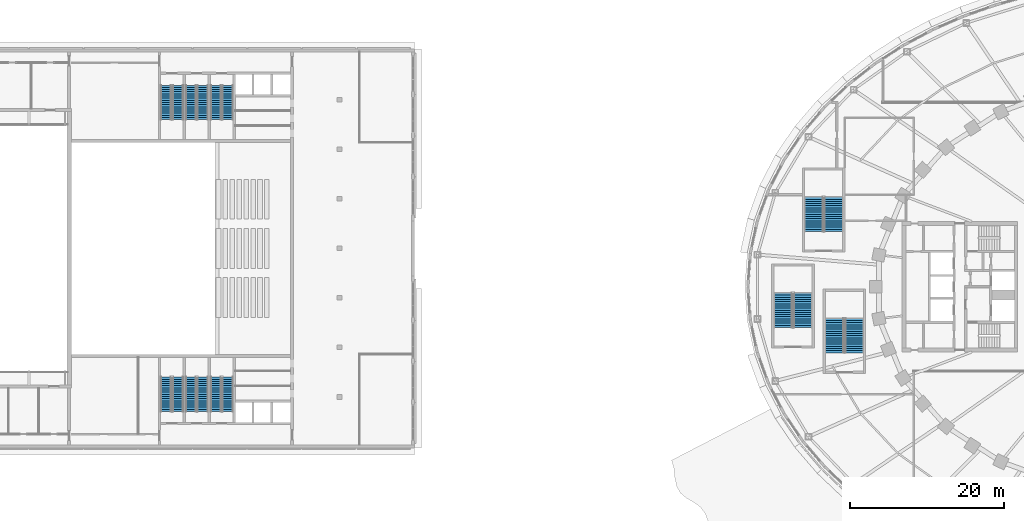
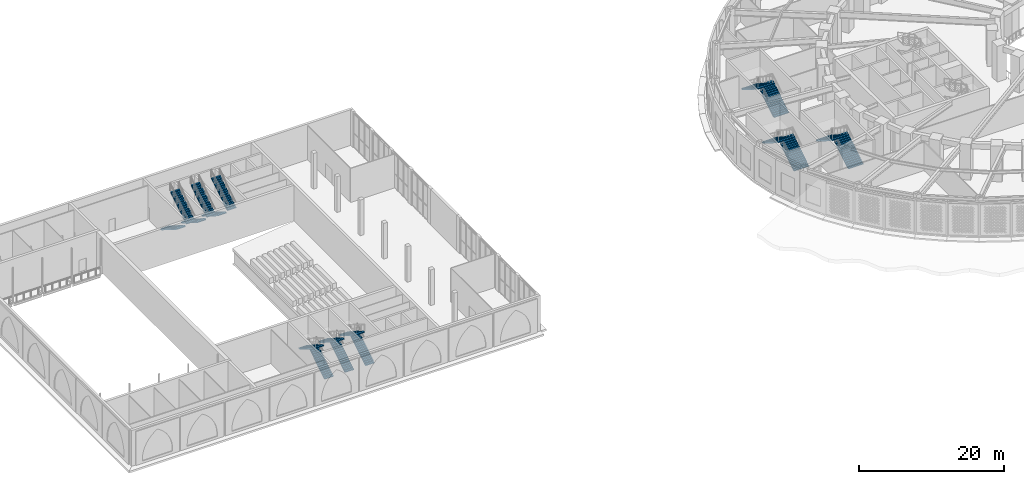
# One storey, part 27 of 74: 18 stair flights, 9 elements without a shape of their own.
"""IFC4 building model written with IfcOpenShell, lengths in metres."""

from ifc_helpers import new_model, si_unit, direction, frame, origin, place, context, subcontext, project, spatial, polyline, outline, extrude, material, type_object, element, aggregate, save


model = new_model("IFC4")

# Units and contexts
model_context = context("Model", 3, precision=1e-05, world=origin(), true_north=direction((0.0, 1.0)))
body_context = subcontext(model_context, "Body", "Model", "MODEL_VIEW")
ifc_project = project(units=[si_unit("LENGTHUNIT", "METRE"), si_unit("AREAUNIT", "SQUARE_METRE"), si_unit("VOLUMEUNIT", "CUBIC_METRE"), si_unit("PLANEANGLEUNIT", "RADIAN"), si_unit("MASSUNIT", "GRAM", prefix="KILO")], contexts=[model_context])

# Site, building, storey
site_placement = place(None, origin())
site = spatial("IfcSite", under=ifc_project, at=site_placement, CompositionType="ELEMENT")
building_placement = place(site_placement, origin())
building = spatial("IfcBuilding", under=site, at=building_placement, Name="Noorbagh Ring Tower", CompositionType="ELEMENT")
storey_placement = place(building_placement, frame((0.0, 0.0, 7.5)))
storey = spatial("IfcBuildingStorey", under=building, at=storey_placement, Name="L01", CompositionType="ELEMENT", Elevation=7.5)

# Stair, stair flights
ifc_material_1 = material(Name="Concrete C40/50", Category="concrete")
stair_type_1 = type_object("IfcStairType", Name="GND-STAIR", PredefinedType="HALF_TURN_STAIR", material=ifc_material_1)
stair_1_placement = place(storey_placement, origin())
stair_1 = element("IfcStair", 1, at=stair_1_placement, inside=storey, type_object=stair_type_1, Name="L01 exit stair ST-P1", PredefinedType="HALF_TURN_STAIR")
ifc_material_2 = material(Name="Concrete C40/50", Category="concrete")
stair_flight_type_1 = type_object("IfcStairFlightType", Name="GND-STAIR-FLIGHT", PredefinedType="STRAIGHT", material=ifc_material_2)
stair_flight_1_placement = place(storey_placement, frame((-37.75, -8.60009765625, 0.0), z_axis=(0.0, 0.0, 1.0), x_axis=(0.0, 1.0, 0.0)))
stair_flight_1 = element("IfcStairFlight", 2, at=stair_flight_1_placement, type_object=stair_flight_type_1, Name="ST-P1 flight 1", NumberOfRisers=17, NumberOfTreads=16, PredefinedType="STRAIGHT", RiserHeight=0.176470588, TreadLength=0.28, context=body_context, shape_type="SweptSolid", body=[
    extrude(outline(polyline([(0.0, 0.0), (0.0, 0.176513671875), (0.280029296875, 0.176513671875), (0.280029296875, 0.35302734375), (0.56005859375, 0.35302734375), (0.56005859375, 0.529296875), (0.840087890625, 0.529296875), (0.840087890625, 0.705810546875), (1.1201171875, 0.705810546875), (1.1201171875, 0.88232421875), (1.39990234375, 0.88232421875), (1.39990234375, 1.058837890625), (1.679931640625, 1.058837890625), (1.679931640625, 1.2353515625), (1.9599609375, 1.2353515625), (1.9599609375, 1.411865234375), (2.239990234375, 1.411865234375), (2.239990234375, 1.588134765625), (2.52001953125, 1.588134765625), (2.52001953125, 1.7646484375), (2.800048828125, 1.7646484375), (2.800048828125, 1.941162109375), (3.080078125, 1.941162109375), (3.080078125, 2.11767578125), (3.360107421875, 2.11767578125), (3.360107421875, 2.294189453125), (3.639892578125, 2.294189453125), (3.639892578125, 2.470703125), (3.919921875, 2.470703125), (3.919921875, 2.64697265625), (4.199951171875, 2.64697265625), (4.199951171875, 2.823486328125), (4.47998046875, 2.823486328125), (4.47998046875, 3.0), (4.47998046875, 2.646240234375), (0.28125, 0.0), (0.0, 0.0)])), frame((0.0, 1.199951171875, 0.0), z_axis=(0.0, -1.0, 0.0), x_axis=(1.0, 0.0, 0.0)), (0.0, 0.0, 1.0), 2.39990234375),
])
stair_flight_2_placement = place(storey_placement, frame((-40.300048828125, -4.1201171875, 3.0), z_axis=(0.0, 0.0, 1.0), x_axis=(0.0, -1.0, 0.0)))
stair_flight_2 = element("IfcStairFlight", 3, at=stair_flight_2_placement, type_object=stair_flight_type_1, Name="ST-P1 flight 2", NumberOfRisers=17, NumberOfTreads=16, PredefinedType="STRAIGHT", RiserHeight=0.176470588, TreadLength=0.28, context=body_context, shape_type="SweptSolid", body=[
    extrude(outline(polyline([(0.0, 0.0), (0.0, 0.176513671875), (0.280029296875, 0.176513671875), (0.280029296875, 0.35302734375), (0.56005859375, 0.35302734375), (0.56005859375, 0.529296875), (0.840087890625, 0.529296875), (0.840087890625, 0.705810546875), (1.1201171875, 0.705810546875), (1.1201171875, 0.88232421875), (1.39990234375, 0.88232421875), (1.39990234375, 1.058837890625), (1.679931640625, 1.058837890625), (1.679931640625, 1.2353515625), (1.9599609375, 1.2353515625), (1.9599609375, 1.411865234375), (2.239990234375, 1.411865234375), (2.239990234375, 1.588134765625), (2.52001953125, 1.588134765625), (2.52001953125, 1.7646484375), (2.800048828125, 1.7646484375), (2.800048828125, 1.941162109375), (3.080078125, 1.941162109375), (3.080078125, 2.11767578125), (3.360107421875, 2.11767578125), (3.360107421875, 2.294189453125), (3.639892578125, 2.294189453125), (3.639892578125, 2.470703125), (3.919921875, 2.470703125), (3.919921875, 2.64697265625), (4.199951171875, 2.64697265625), (4.199951171875, 2.823486328125), (4.47998046875, 2.823486328125), (4.47998046875, 3.0), (4.47998046875, 2.646240234375), (0.28125, 0.0), (0.0, 0.0)])), frame((0.0, 1.199951171875, 0.0), z_axis=(0.0, -1.0, 0.0), x_axis=(1.0, 0.0, 0.0)), (0.0, 0.0, 1.0), 2.39990234375),
])
aggregate(stair_1, [stair_flight_1, stair_flight_2])

stair_2_placement = place(storey_placement, origin())
stair_2 = element("IfcStair", 4, at=stair_2_placement, inside=storey, type_object=stair_type_1, Name="L01 exit stair ST-P3", PredefinedType="HALF_TURN_STAIR")
stair_flight_3_placement = place(storey_placement, frame((-44.449951171875, -5.300048828125, 0.0), z_axis=(0.0, 0.0, 1.0), x_axis=(0.0, 1.0, 0.0)))
stair_flight_3 = element("IfcStairFlight", 5, at=stair_flight_3_placement, type_object=stair_flight_type_1, Name="ST-P3 flight 1", NumberOfRisers=17, NumberOfTreads=16, PredefinedType="STRAIGHT", RiserHeight=0.176470588, TreadLength=0.28, context=body_context, shape_type="SweptSolid", body=[
    extrude(outline(polyline([(0.0, 0.0), (0.0, 0.176513671875), (0.280029296875, 0.176513671875), (0.280029296875, 0.35302734375), (0.56005859375, 0.35302734375), (0.56005859375, 0.529296875), (0.840087890625, 0.529296875), (0.840087890625, 0.705810546875), (1.1201171875, 0.705810546875), (1.1201171875, 0.88232421875), (1.39990234375, 0.88232421875), (1.39990234375, 1.058837890625), (1.679931640625, 1.058837890625), (1.679931640625, 1.2353515625), (1.9599609375, 1.2353515625), (1.9599609375, 1.411865234375), (2.239990234375, 1.411865234375), (2.239990234375, 1.588134765625), (2.52001953125, 1.588134765625), (2.52001953125, 1.7646484375), (2.800048828125, 1.7646484375), (2.800048828125, 1.941162109375), (3.080078125, 1.941162109375), (3.080078125, 2.11767578125), (3.360107421875, 2.11767578125), (3.360107421875, 2.294189453125), (3.639892578125, 2.294189453125), (3.639892578125, 2.470703125), (3.919921875, 2.470703125), (3.919921875, 2.64697265625), (4.199951171875, 2.64697265625), (4.199951171875, 2.823486328125), (4.47998046875, 2.823486328125), (4.47998046875, 3.0), (4.47998046875, 2.646240234375), (0.28125, 0.0), (0.0, 0.0)])), frame((0.0, 1.199951171875, 0.0), z_axis=(0.0, -1.0, 0.0), x_axis=(1.0, 0.0, 0.0)), (0.0, 0.0, 1.0), 2.39990234375),
])
stair_flight_4_placement = place(storey_placement, frame((-47.0, -0.820068359375, 3.0), z_axis=(0.0, 0.0, 1.0), x_axis=(0.0, -1.0, 0.0)))
stair_flight_4 = element("IfcStairFlight", 6, at=stair_flight_4_placement, type_object=stair_flight_type_1, Name="ST-P3 flight 2", NumberOfRisers=17, NumberOfTreads=16, PredefinedType="STRAIGHT", RiserHeight=0.176470588, TreadLength=0.28, context=body_context, shape_type="SweptSolid", body=[
    extrude(outline(polyline([(0.0, 0.0), (0.0, 0.176513671875), (0.280029296875, 0.176513671875), (0.280029296875, 0.35302734375), (0.56005859375, 0.35302734375), (0.56005859375, 0.529296875), (0.840087890625, 0.529296875), (0.840087890625, 0.705810546875), (1.1201171875, 0.705810546875), (1.1201171875, 0.88232421875), (1.39990234375, 0.88232421875), (1.39990234375, 1.058837890625), (1.679931640625, 1.058837890625), (1.679931640625, 1.2353515625), (1.9599609375, 1.2353515625), (1.9599609375, 1.411865234375), (2.239990234375, 1.411865234375), (2.239990234375, 1.588134765625), (2.52001953125, 1.588134765625), (2.52001953125, 1.7646484375), (2.800048828125, 1.7646484375), (2.800048828125, 1.941162109375), (3.080078125, 1.941162109375), (3.080078125, 2.11767578125), (3.360107421875, 2.11767578125), (3.360107421875, 2.294189453125), (3.639892578125, 2.294189453125), (3.639892578125, 2.470703125), (3.919921875, 2.470703125), (3.919921875, 2.64697265625), (4.199951171875, 2.64697265625), (4.199951171875, 2.823486328125), (4.47998046875, 2.823486328125), (4.47998046875, 3.0), (4.47998046875, 2.646240234375), (0.28125, 0.0), (0.0, 0.0)])), frame((0.0, 1.199951171875, 0.0), z_axis=(0.0, -1.0, 0.0), x_axis=(1.0, 0.0, 0.0)), (0.0, 0.0, 1.0), 2.39990234375),
])
aggregate(stair_2, [stair_flight_3, stair_flight_4])

stair_3_placement = place(storey_placement, origin())
stair_3 = element("IfcStair", 7, at=stair_3_placement, inside=storey, type_object=stair_type_1, Name="L01 exit stair ST-P7", PredefinedType="HALF_TURN_STAIR")
stair_flight_5_placement = place(storey_placement, frame((-40.449951171875, 7.199951171875, 0.0), z_axis=(0.0, 0.0, 1.0), x_axis=(0.0, 1.0, 0.0)))
stair_flight_5 = element("IfcStairFlight", 8, at=stair_flight_5_placement, type_object=stair_flight_type_1, Name="ST-P7 flight 1", NumberOfRisers=17, NumberOfTreads=16, PredefinedType="STRAIGHT", RiserHeight=0.176470588, TreadLength=0.28, context=body_context, shape_type="SweptSolid", body=[
    extrude(outline(polyline([(0.0, 0.0), (0.0, 0.176513671875), (0.280029296875, 0.176513671875), (0.280029296875, 0.35302734375), (0.56005859375, 0.35302734375), (0.56005859375, 0.529296875), (0.840087890625, 0.529296875), (0.840087890625, 0.705810546875), (1.1201171875, 0.705810546875), (1.1201171875, 0.88232421875), (1.39990234375, 0.88232421875), (1.39990234375, 1.058837890625), (1.679931640625, 1.058837890625), (1.679931640625, 1.2353515625), (1.9599609375, 1.2353515625), (1.9599609375, 1.411865234375), (2.239990234375, 1.411865234375), (2.239990234375, 1.588134765625), (2.52001953125, 1.588134765625), (2.52001953125, 1.7646484375), (2.800048828125, 1.7646484375), (2.800048828125, 1.941162109375), (3.080078125, 1.941162109375), (3.080078125, 2.11767578125), (3.360107421875, 2.11767578125), (3.360107421875, 2.294189453125), (3.639892578125, 2.294189453125), (3.639892578125, 2.470703125), (3.919921875, 2.470703125), (3.919921875, 2.64697265625), (4.199951171875, 2.64697265625), (4.199951171875, 2.823486328125), (4.47998046875, 2.823486328125), (4.47998046875, 3.0), (4.47998046875, 2.646240234375), (0.28125, 0.0), (0.0, 0.0)])), frame((0.0, 1.199951171875, 0.0), z_axis=(0.0, -1.0, 0.0), x_axis=(1.0, 0.0, 0.0)), (0.0, 0.0, 1.0), 2.39990234375),
])
stair_flight_6_placement = place(storey_placement, frame((-43.0, 11.679931640625, 3.0), z_axis=(0.0, 0.0, 1.0), x_axis=(0.0, -1.0, 0.0)))
stair_flight_6 = element("IfcStairFlight", 9, at=stair_flight_6_placement, type_object=stair_flight_type_1, Name="ST-P7 flight 2", NumberOfRisers=17, NumberOfTreads=16, PredefinedType="STRAIGHT", RiserHeight=0.176470588, TreadLength=0.28, context=body_context, shape_type="SweptSolid", body=[
    extrude(outline(polyline([(0.0, 0.0), (0.0, 0.176513671875), (0.280029296875, 0.176513671875), (0.280029296875, 0.35302734375), (0.56005859375, 0.35302734375), (0.56005859375, 0.529296875), (0.840087890625, 0.529296875), (0.840087890625, 0.705810546875), (1.1201171875, 0.705810546875), (1.1201171875, 0.88232421875), (1.39990234375, 0.88232421875), (1.39990234375, 1.058837890625), (1.679931640625, 1.058837890625), (1.679931640625, 1.2353515625), (1.9599609375, 1.2353515625), (1.9599609375, 1.411865234375), (2.239990234375, 1.411865234375), (2.239990234375, 1.588134765625), (2.52001953125, 1.588134765625), (2.52001953125, 1.7646484375), (2.800048828125, 1.7646484375), (2.800048828125, 1.941162109375), (3.080078125, 1.941162109375), (3.080078125, 2.11767578125), (3.360107421875, 2.11767578125), (3.360107421875, 2.294189453125), (3.639892578125, 2.294189453125), (3.639892578125, 2.470703125), (3.919921875, 2.470703125), (3.919921875, 2.64697265625), (4.199951171875, 2.64697265625), (4.199951171875, 2.823486328125), (4.47998046875, 2.823486328125), (4.47998046875, 3.0), (4.47998046875, 2.646240234375), (0.28125, 0.0), (0.0, 0.0)])), frame((0.0, 1.199951171875, 0.0), z_axis=(0.0, -1.0, 0.0), x_axis=(1.0, 0.0, 0.0)), (0.0, 0.0, 1.0), 2.39990234375),
])
aggregate(stair_3, [stair_flight_5, stair_flight_6])

ifc_material_3 = material(Name="Concrete C40/50", Category="concrete")
stair_type_2 = type_object("IfcStairType", Name="TH-STAIR", PredefinedType="HALF_TURN_STAIR", material=ifc_material_3)
stair_4_placement = place(storey_placement, origin())
stair_4 = element("IfcStair", 10, at=stair_4_placement, inside=storey, type_object=stair_type_2, Name="L01 Exit stair S1", PredefinedType="HALF_TURN_STAIR")
ifc_material_4 = material(Name="Concrete C40/50", Category="concrete")
stair_flight_type_2 = type_object("IfcStairFlightType", Name="TH-STAIR-FLIGHT", PredefinedType="STRAIGHT", material=ifc_material_4)
stair_flight_7_placement = place(storey_placement, frame((-122.60009765625, -16.25, 0.0), z_axis=(0.0, 0.0, 1.0), x_axis=(0.0, 1.0, 0.0)))
stair_flight_7 = element("IfcStairFlight", 11, at=stair_flight_7_placement, type_object=stair_flight_type_2, Name="TSS1 flight 1", NumberOfRisers=17, NumberOfTreads=16, PredefinedType="STRAIGHT", RiserHeight=0.176470588, TreadLength=0.28, context=body_context, shape_type="SweptSolid", body=[
    extrude(outline(polyline([(0.0, 0.0), (0.0, 0.176513671875), (0.280029296875, 0.176513671875), (0.280029296875, 0.35302734375), (0.56005859375, 0.35302734375), (0.56005859375, 0.529296875), (0.840087890625, 0.529296875), (0.840087890625, 0.705810546875), (1.1201171875, 0.705810546875), (1.1201171875, 0.88232421875), (1.39990234375, 0.88232421875), (1.39990234375, 1.058837890625), (1.679931640625, 1.058837890625), (1.679931640625, 1.2353515625), (1.9599609375, 1.2353515625), (1.9599609375, 1.411865234375), (2.239990234375, 1.411865234375), (2.239990234375, 1.588134765625), (2.52001953125, 1.588134765625), (2.52001953125, 1.7646484375), (2.800048828125, 1.7646484375), (2.800048828125, 1.941162109375), (3.080078125, 1.941162109375), (3.080078125, 2.11767578125), (3.360107421875, 2.11767578125), (3.360107421875, 2.294189453125), (3.639892578125, 2.294189453125), (3.639892578125, 2.470703125), (3.919921875, 2.470703125), (3.919921875, 2.64697265625), (4.199951171875, 2.64697265625), (4.199951171875, 2.823486328125), (4.47998046875, 2.823486328125), (4.47998046875, 3.0), (4.47998046875, 2.646240234375), (0.28125, 0.0), (0.0, 0.0)])), frame((0.0, 0.699951171875, 0.0), z_axis=(0.0, -1.0, 0.0), x_axis=(1.0, 0.0, 0.0)), (0.0, 0.0, 1.0), 1.39990234375),
])
stair_flight_8_placement = place(storey_placement, frame((-124.14990234375, -11.77001953125, 3.0), z_axis=(0.0, 0.0, 1.0), x_axis=(0.0, -1.0, 0.0)))
stair_flight_8 = element("IfcStairFlight", 12, at=stair_flight_8_placement, type_object=stair_flight_type_2, Name="TSS1 flight 2", NumberOfRisers=17, NumberOfTreads=16, PredefinedType="STRAIGHT", RiserHeight=0.176470588, TreadLength=0.28, context=body_context, shape_type="SweptSolid", body=[
    extrude(outline(polyline([(0.0, 0.0), (0.0, 0.176513671875), (0.280029296875, 0.176513671875), (0.280029296875, 0.35302734375), (0.56005859375, 0.35302734375), (0.56005859375, 0.529296875), (0.840087890625, 0.529296875), (0.840087890625, 0.705810546875), (1.1201171875, 0.705810546875), (1.1201171875, 0.88232421875), (1.39990234375, 0.88232421875), (1.39990234375, 1.058837890625), (1.679931640625, 1.058837890625), (1.679931640625, 1.2353515625), (1.9599609375, 1.2353515625), (1.9599609375, 1.411865234375), (2.239990234375, 1.411865234375), (2.239990234375, 1.588134765625), (2.52001953125, 1.588134765625), (2.52001953125, 1.7646484375), (2.800048828125, 1.7646484375), (2.800048828125, 1.941162109375), (3.080078125, 1.941162109375), (3.080078125, 2.11767578125), (3.360107421875, 2.11767578125), (3.360107421875, 2.294189453125), (3.639892578125, 2.294189453125), (3.639892578125, 2.470703125), (3.919921875, 2.470703125), (3.919921875, 2.64697265625), (4.199951171875, 2.64697265625), (4.199951171875, 2.823486328125), (4.47998046875, 2.823486328125), (4.47998046875, 3.0), (4.47998046875, 2.646240234375), (0.28125, 0.0), (0.0, 0.0)])), frame((0.0, 0.699951171875, 0.0), z_axis=(0.0, -1.0, 0.0), x_axis=(1.0, 0.0, 0.0)), (0.0, 0.0, 1.0), 1.39990234375),
])
aggregate(stair_4, [stair_flight_7, stair_flight_8])

stair_5_placement = place(storey_placement, origin())
stair_5 = element("IfcStair", 13, at=stair_5_placement, inside=storey, type_object=stair_type_2, Name="L01 Exit stair S2", PredefinedType="HALF_TURN_STAIR")
stair_flight_9_placement = place(storey_placement, frame((-119.35009765625, -16.25, 0.0), z_axis=(0.0, 0.0, 1.0), x_axis=(0.0, 1.0, 0.0)))
stair_flight_9 = element("IfcStairFlight", 14, at=stair_flight_9_placement, type_object=stair_flight_type_2, Name="TSS2 flight 1", NumberOfRisers=17, NumberOfTreads=16, PredefinedType="STRAIGHT", RiserHeight=0.176470588, TreadLength=0.28, context=body_context, shape_type="SweptSolid", body=[
    extrude(outline(polyline([(0.0, 0.0), (0.0, 0.176513671875), (0.280029296875, 0.176513671875), (0.280029296875, 0.35302734375), (0.56005859375, 0.35302734375), (0.56005859375, 0.529296875), (0.840087890625, 0.529296875), (0.840087890625, 0.705810546875), (1.1201171875, 0.705810546875), (1.1201171875, 0.88232421875), (1.39990234375, 0.88232421875), (1.39990234375, 1.058837890625), (1.679931640625, 1.058837890625), (1.679931640625, 1.2353515625), (1.9599609375, 1.2353515625), (1.9599609375, 1.411865234375), (2.239990234375, 1.411865234375), (2.239990234375, 1.588134765625), (2.52001953125, 1.588134765625), (2.52001953125, 1.7646484375), (2.800048828125, 1.7646484375), (2.800048828125, 1.941162109375), (3.080078125, 1.941162109375), (3.080078125, 2.11767578125), (3.360107421875, 2.11767578125), (3.360107421875, 2.294189453125), (3.639892578125, 2.294189453125), (3.639892578125, 2.470703125), (3.919921875, 2.470703125), (3.919921875, 2.64697265625), (4.199951171875, 2.64697265625), (4.199951171875, 2.823486328125), (4.47998046875, 2.823486328125), (4.47998046875, 3.0), (4.47998046875, 2.646240234375), (0.28125, 0.0), (0.0, 0.0)])), frame((0.0, 0.699951171875, 0.0), z_axis=(0.0, -1.0, 0.0), x_axis=(1.0, 0.0, 0.0)), (0.0, 0.0, 1.0), 1.39990234375),
])
stair_flight_10_placement = place(storey_placement, frame((-120.89990234375, -11.77001953125, 3.0), z_axis=(0.0, 0.0, 1.0), x_axis=(0.0, -1.0, 0.0)))
stair_flight_10 = element("IfcStairFlight", 15, at=stair_flight_10_placement, type_object=stair_flight_type_2, Name="TSS2 flight 2", NumberOfRisers=17, NumberOfTreads=16, PredefinedType="STRAIGHT", RiserHeight=0.176470588, TreadLength=0.28, context=body_context, shape_type="SweptSolid", body=[
    extrude(outline(polyline([(0.0, 0.0), (0.0, 0.176513671875), (0.280029296875, 0.176513671875), (0.280029296875, 0.35302734375), (0.56005859375, 0.35302734375), (0.56005859375, 0.529296875), (0.840087890625, 0.529296875), (0.840087890625, 0.705810546875), (1.1201171875, 0.705810546875), (1.1201171875, 0.88232421875), (1.39990234375, 0.88232421875), (1.39990234375, 1.058837890625), (1.679931640625, 1.058837890625), (1.679931640625, 1.2353515625), (1.9599609375, 1.2353515625), (1.9599609375, 1.411865234375), (2.239990234375, 1.411865234375), (2.239990234375, 1.588134765625), (2.52001953125, 1.588134765625), (2.52001953125, 1.7646484375), (2.800048828125, 1.7646484375), (2.800048828125, 1.941162109375), (3.080078125, 1.941162109375), (3.080078125, 2.11767578125), (3.360107421875, 2.11767578125), (3.360107421875, 2.294189453125), (3.639892578125, 2.294189453125), (3.639892578125, 2.470703125), (3.919921875, 2.470703125), (3.919921875, 2.64697265625), (4.199951171875, 2.64697265625), (4.199951171875, 2.823486328125), (4.47998046875, 2.823486328125), (4.47998046875, 3.0), (4.47998046875, 2.646240234375), (0.28125, 0.0), (0.0, 0.0)])), frame((0.0, 0.699951171875, 0.0), z_axis=(0.0, -1.0, 0.0), x_axis=(1.0, 0.0, 0.0)), (0.0, 0.0, 1.0), 1.39990234375),
])
aggregate(stair_5, [stair_flight_9, stair_flight_10])

stair_6_placement = place(storey_placement, origin())
stair_6 = element("IfcStair", 16, at=stair_6_placement, inside=storey, type_object=stair_type_2, Name="L01 Exit stair S3", PredefinedType="HALF_TURN_STAIR")
stair_flight_11_placement = place(storey_placement, frame((-125.85009765625, -16.25, 0.0), z_axis=(0.0, 0.0, 1.0), x_axis=(0.0, 1.0, 0.0)))
stair_flight_11 = element("IfcStairFlight", 17, at=stair_flight_11_placement, type_object=stair_flight_type_2, Name="TSS3 flight 1", NumberOfRisers=17, NumberOfTreads=16, PredefinedType="STRAIGHT", RiserHeight=0.176470588, TreadLength=0.28, context=body_context, shape_type="SweptSolid", body=[
    extrude(outline(polyline([(0.0, 0.0), (0.0, 0.176513671875), (0.280029296875, 0.176513671875), (0.280029296875, 0.35302734375), (0.56005859375, 0.35302734375), (0.56005859375, 0.529296875), (0.840087890625, 0.529296875), (0.840087890625, 0.705810546875), (1.1201171875, 0.705810546875), (1.1201171875, 0.88232421875), (1.39990234375, 0.88232421875), (1.39990234375, 1.058837890625), (1.679931640625, 1.058837890625), (1.679931640625, 1.2353515625), (1.9599609375, 1.2353515625), (1.9599609375, 1.411865234375), (2.239990234375, 1.411865234375), (2.239990234375, 1.588134765625), (2.52001953125, 1.588134765625), (2.52001953125, 1.7646484375), (2.800048828125, 1.7646484375), (2.800048828125, 1.941162109375), (3.080078125, 1.941162109375), (3.080078125, 2.11767578125), (3.360107421875, 2.11767578125), (3.360107421875, 2.294189453125), (3.639892578125, 2.294189453125), (3.639892578125, 2.470703125), (3.919921875, 2.470703125), (3.919921875, 2.64697265625), (4.199951171875, 2.64697265625), (4.199951171875, 2.823486328125), (4.47998046875, 2.823486328125), (4.47998046875, 3.0), (4.47998046875, 2.646240234375), (0.28125, 0.0), (0.0, 0.0)])), frame((0.0, 0.699951171875, 0.0), z_axis=(0.0, -1.0, 0.0), x_axis=(1.0, 0.0, 0.0)), (0.0, 0.0, 1.0), 1.39990234375),
])
stair_flight_12_placement = place(storey_placement, frame((-127.39990234375, -11.77001953125, 3.0), z_axis=(0.0, 0.0, 1.0), x_axis=(0.0, -1.0, 0.0)))
stair_flight_12 = element("IfcStairFlight", 18, at=stair_flight_12_placement, type_object=stair_flight_type_2, Name="TSS3 flight 2", NumberOfRisers=17, NumberOfTreads=16, PredefinedType="STRAIGHT", RiserHeight=0.176470588, TreadLength=0.28, context=body_context, shape_type="SweptSolid", body=[
    extrude(outline(polyline([(0.0, 0.0), (0.0, 0.176513671875), (0.280029296875, 0.176513671875), (0.280029296875, 0.35302734375), (0.56005859375, 0.35302734375), (0.56005859375, 0.529296875), (0.840087890625, 0.529296875), (0.840087890625, 0.705810546875), (1.1201171875, 0.705810546875), (1.1201171875, 0.88232421875), (1.39990234375, 0.88232421875), (1.39990234375, 1.058837890625), (1.679931640625, 1.058837890625), (1.679931640625, 1.2353515625), (1.9599609375, 1.2353515625), (1.9599609375, 1.411865234375), (2.239990234375, 1.411865234375), (2.239990234375, 1.588134765625), (2.52001953125, 1.588134765625), (2.52001953125, 1.7646484375), (2.800048828125, 1.7646484375), (2.800048828125, 1.941162109375), (3.080078125, 1.941162109375), (3.080078125, 2.11767578125), (3.360107421875, 2.11767578125), (3.360107421875, 2.294189453125), (3.639892578125, 2.294189453125), (3.639892578125, 2.470703125), (3.919921875, 2.470703125), (3.919921875, 2.64697265625), (4.199951171875, 2.64697265625), (4.199951171875, 2.823486328125), (4.47998046875, 2.823486328125), (4.47998046875, 3.0), (4.47998046875, 2.646240234375), (0.28125, 0.0), (0.0, 0.0)])), frame((0.0, 0.699951171875, 0.0), z_axis=(0.0, -1.0, 0.0), x_axis=(1.0, 0.0, 0.0)), (0.0, 0.0, 1.0), 1.39990234375),
])
aggregate(stair_6, [stair_flight_11, stair_flight_12])

stair_7_placement = place(storey_placement, origin())
stair_7 = element("IfcStair", 19, at=stair_7_placement, inside=storey, type_object=stair_type_2, Name="L01 Exit stair N1", PredefinedType="HALF_TURN_STAIR")
stair_flight_13_placement = place(storey_placement, frame((-124.14990234375, 26.25, 0.0), z_axis=(0.0, 0.0, 1.0), x_axis=(0.0, -1.0, 0.0)))
stair_flight_13 = element("IfcStairFlight", 20, at=stair_flight_13_placement, type_object=stair_flight_type_2, Name="TSN1 flight 1", NumberOfRisers=17, NumberOfTreads=16, PredefinedType="STRAIGHT", RiserHeight=0.176470588, TreadLength=0.28, context=body_context, shape_type="SweptSolid", body=[
    extrude(outline(polyline([(0.0, 0.0), (0.0, 0.176513671875), (0.280029296875, 0.176513671875), (0.280029296875, 0.35302734375), (0.56005859375, 0.35302734375), (0.56005859375, 0.529296875), (0.840087890625, 0.529296875), (0.840087890625, 0.705810546875), (1.1201171875, 0.705810546875), (1.1201171875, 0.88232421875), (1.39990234375, 0.88232421875), (1.39990234375, 1.058837890625), (1.679931640625, 1.058837890625), (1.679931640625, 1.2353515625), (1.9599609375, 1.2353515625), (1.9599609375, 1.411865234375), (2.239990234375, 1.411865234375), (2.239990234375, 1.588134765625), (2.52001953125, 1.588134765625), (2.52001953125, 1.7646484375), (2.800048828125, 1.7646484375), (2.800048828125, 1.941162109375), (3.080078125, 1.941162109375), (3.080078125, 2.11767578125), (3.360107421875, 2.11767578125), (3.360107421875, 2.294189453125), (3.639892578125, 2.294189453125), (3.639892578125, 2.470703125), (3.919921875, 2.470703125), (3.919921875, 2.64697265625), (4.199951171875, 2.64697265625), (4.199951171875, 2.823486328125), (4.47998046875, 2.823486328125), (4.47998046875, 3.0), (4.47998046875, 2.646240234375), (0.28125, 0.0), (0.0, 0.0)])), frame((0.0, 0.699951171875, 0.0), z_axis=(0.0, -1.0, 0.0), x_axis=(1.0, 0.0, 0.0)), (0.0, 0.0, 1.0), 1.39990234375),
])
stair_flight_14_placement = place(storey_placement, frame((-122.60009765625, 21.77001953125, 3.0), z_axis=(0.0, 0.0, 1.0), x_axis=(0.0, 1.0, 0.0)))
stair_flight_14 = element("IfcStairFlight", 21, at=stair_flight_14_placement, type_object=stair_flight_type_2, Name="TSN1 flight 2", NumberOfRisers=17, NumberOfTreads=16, PredefinedType="STRAIGHT", RiserHeight=0.176470588, TreadLength=0.28, context=body_context, shape_type="SweptSolid", body=[
    extrude(outline(polyline([(0.0, 0.0), (0.0, 0.176513671875), (0.280029296875, 0.176513671875), (0.280029296875, 0.35302734375), (0.56005859375, 0.35302734375), (0.56005859375, 0.529296875), (0.840087890625, 0.529296875), (0.840087890625, 0.705810546875), (1.1201171875, 0.705810546875), (1.1201171875, 0.88232421875), (1.39990234375, 0.88232421875), (1.39990234375, 1.058837890625), (1.679931640625, 1.058837890625), (1.679931640625, 1.2353515625), (1.9599609375, 1.2353515625), (1.9599609375, 1.411865234375), (2.239990234375, 1.411865234375), (2.239990234375, 1.588134765625), (2.52001953125, 1.588134765625), (2.52001953125, 1.7646484375), (2.800048828125, 1.7646484375), (2.800048828125, 1.941162109375), (3.080078125, 1.941162109375), (3.080078125, 2.11767578125), (3.360107421875, 2.11767578125), (3.360107421875, 2.294189453125), (3.639892578125, 2.294189453125), (3.639892578125, 2.470703125), (3.919921875, 2.470703125), (3.919921875, 2.64697265625), (4.199951171875, 2.64697265625), (4.199951171875, 2.823486328125), (4.47998046875, 2.823486328125), (4.47998046875, 3.0), (4.47998046875, 2.646240234375), (0.28125, 0.0), (0.0, 0.0)])), frame((0.0, 0.699951171875, 0.0), z_axis=(0.0, -1.0, 0.0), x_axis=(1.0, 0.0, 0.0)), (0.0, 0.0, 1.0), 1.39990234375),
])
aggregate(stair_7, [stair_flight_13, stair_flight_14])

stair_8_placement = place(storey_placement, origin())
stair_8 = element("IfcStair", 22, at=stair_8_placement, inside=storey, type_object=stair_type_2, Name="L01 Exit stair N2", PredefinedType="HALF_TURN_STAIR")
stair_flight_15_placement = place(storey_placement, frame((-120.89990234375, 26.25, 0.0), z_axis=(0.0, 0.0, 1.0), x_axis=(0.0, -1.0, 0.0)))
stair_flight_15 = element("IfcStairFlight", 23, at=stair_flight_15_placement, type_object=stair_flight_type_2, Name="TSN2 flight 1", NumberOfRisers=17, NumberOfTreads=16, PredefinedType="STRAIGHT", RiserHeight=0.176470588, TreadLength=0.28, context=body_context, shape_type="SweptSolid", body=[
    extrude(outline(polyline([(0.0, 0.0), (0.0, 0.176513671875), (0.280029296875, 0.176513671875), (0.280029296875, 0.35302734375), (0.56005859375, 0.35302734375), (0.56005859375, 0.529296875), (0.840087890625, 0.529296875), (0.840087890625, 0.705810546875), (1.1201171875, 0.705810546875), (1.1201171875, 0.88232421875), (1.39990234375, 0.88232421875), (1.39990234375, 1.058837890625), (1.679931640625, 1.058837890625), (1.679931640625, 1.2353515625), (1.9599609375, 1.2353515625), (1.9599609375, 1.411865234375), (2.239990234375, 1.411865234375), (2.239990234375, 1.588134765625), (2.52001953125, 1.588134765625), (2.52001953125, 1.7646484375), (2.800048828125, 1.7646484375), (2.800048828125, 1.941162109375), (3.080078125, 1.941162109375), (3.080078125, 2.11767578125), (3.360107421875, 2.11767578125), (3.360107421875, 2.294189453125), (3.639892578125, 2.294189453125), (3.639892578125, 2.470703125), (3.919921875, 2.470703125), (3.919921875, 2.64697265625), (4.199951171875, 2.64697265625), (4.199951171875, 2.823486328125), (4.47998046875, 2.823486328125), (4.47998046875, 3.0), (4.47998046875, 2.646240234375), (0.28125, 0.0), (0.0, 0.0)])), frame((0.0, 0.699951171875, 0.0), z_axis=(0.0, -1.0, 0.0), x_axis=(1.0, 0.0, 0.0)), (0.0, 0.0, 1.0), 1.39990234375),
])
stair_flight_16_placement = place(storey_placement, frame((-119.35009765625, 21.77001953125, 3.0), z_axis=(0.0, 0.0, 1.0), x_axis=(0.0, 1.0, 0.0)))
stair_flight_16 = element("IfcStairFlight", 24, at=stair_flight_16_placement, type_object=stair_flight_type_2, Name="TSN2 flight 2", NumberOfRisers=17, NumberOfTreads=16, PredefinedType="STRAIGHT", RiserHeight=0.176470588, TreadLength=0.28, context=body_context, shape_type="SweptSolid", body=[
    extrude(outline(polyline([(0.0, 0.0), (0.0, 0.176513671875), (0.280029296875, 0.176513671875), (0.280029296875, 0.35302734375), (0.56005859375, 0.35302734375), (0.56005859375, 0.529296875), (0.840087890625, 0.529296875), (0.840087890625, 0.705810546875), (1.1201171875, 0.705810546875), (1.1201171875, 0.88232421875), (1.39990234375, 0.88232421875), (1.39990234375, 1.058837890625), (1.679931640625, 1.058837890625), (1.679931640625, 1.2353515625), (1.9599609375, 1.2353515625), (1.9599609375, 1.411865234375), (2.239990234375, 1.411865234375), (2.239990234375, 1.588134765625), (2.52001953125, 1.588134765625), (2.52001953125, 1.7646484375), (2.800048828125, 1.7646484375), (2.800048828125, 1.941162109375), (3.080078125, 1.941162109375), (3.080078125, 2.11767578125), (3.360107421875, 2.11767578125), (3.360107421875, 2.294189453125), (3.639892578125, 2.294189453125), (3.639892578125, 2.470703125), (3.919921875, 2.470703125), (3.919921875, 2.64697265625), (4.199951171875, 2.64697265625), (4.199951171875, 2.823486328125), (4.47998046875, 2.823486328125), (4.47998046875, 3.0), (4.47998046875, 2.646240234375), (0.28125, 0.0), (0.0, 0.0)])), frame((0.0, 0.699951171875, 0.0), z_axis=(0.0, -1.0, 0.0), x_axis=(1.0, 0.0, 0.0)), (0.0, 0.0, 1.0), 1.39990234375),
])
aggregate(stair_8, [stair_flight_15, stair_flight_16])

stair_9_placement = place(storey_placement, origin())
stair_9 = element("IfcStair", 25, at=stair_9_placement, inside=storey, type_object=stair_type_2, Name="L01 Exit stair N3", PredefinedType="HALF_TURN_STAIR")
stair_flight_17_placement = place(storey_placement, frame((-127.39990234375, 26.25, 0.0), z_axis=(0.0, 0.0, 1.0), x_axis=(0.0, -1.0, 0.0)))
stair_flight_17 = element("IfcStairFlight", 26, at=stair_flight_17_placement, type_object=stair_flight_type_2, Name="TSN3 flight 1", NumberOfRisers=17, NumberOfTreads=16, PredefinedType="STRAIGHT", RiserHeight=0.176470588, TreadLength=0.28, context=body_context, shape_type="SweptSolid", body=[
    extrude(outline(polyline([(0.0, 0.0), (0.0, 0.176513671875), (0.280029296875, 0.176513671875), (0.280029296875, 0.35302734375), (0.56005859375, 0.35302734375), (0.56005859375, 0.529296875), (0.840087890625, 0.529296875), (0.840087890625, 0.705810546875), (1.1201171875, 0.705810546875), (1.1201171875, 0.88232421875), (1.39990234375, 0.88232421875), (1.39990234375, 1.058837890625), (1.679931640625, 1.058837890625), (1.679931640625, 1.2353515625), (1.9599609375, 1.2353515625), (1.9599609375, 1.411865234375), (2.239990234375, 1.411865234375), (2.239990234375, 1.588134765625), (2.52001953125, 1.588134765625), (2.52001953125, 1.7646484375), (2.800048828125, 1.7646484375), (2.800048828125, 1.941162109375), (3.080078125, 1.941162109375), (3.080078125, 2.11767578125), (3.360107421875, 2.11767578125), (3.360107421875, 2.294189453125), (3.639892578125, 2.294189453125), (3.639892578125, 2.470703125), (3.919921875, 2.470703125), (3.919921875, 2.64697265625), (4.199951171875, 2.64697265625), (4.199951171875, 2.823486328125), (4.47998046875, 2.823486328125), (4.47998046875, 3.0), (4.47998046875, 2.646240234375), (0.28125, 0.0), (0.0, 0.0)])), frame((0.0, 0.699951171875, 0.0), z_axis=(0.0, -1.0, 0.0), x_axis=(1.0, 0.0, 0.0)), (0.0, 0.0, 1.0), 1.39990234375),
])
stair_flight_18_placement = place(storey_placement, frame((-125.85009765625, 21.77001953125, 3.0), z_axis=(0.0, 0.0, 1.0), x_axis=(0.0, 1.0, 0.0)))
stair_flight_18 = element("IfcStairFlight", 27, at=stair_flight_18_placement, type_object=stair_flight_type_2, Name="TSN3 flight 2", NumberOfRisers=17, NumberOfTreads=16, PredefinedType="STRAIGHT", RiserHeight=0.176470588, TreadLength=0.28, context=body_context, shape_type="SweptSolid", body=[
    extrude(outline(polyline([(0.0, 0.0), (0.0, 0.176513671875), (0.280029296875, 0.176513671875), (0.280029296875, 0.35302734375), (0.56005859375, 0.35302734375), (0.56005859375, 0.529296875), (0.840087890625, 0.529296875), (0.840087890625, 0.705810546875), (1.1201171875, 0.705810546875), (1.1201171875, 0.88232421875), (1.39990234375, 0.88232421875), (1.39990234375, 1.058837890625), (1.679931640625, 1.058837890625), (1.679931640625, 1.2353515625), (1.9599609375, 1.2353515625), (1.9599609375, 1.411865234375), (2.239990234375, 1.411865234375), (2.239990234375, 1.588134765625), (2.52001953125, 1.588134765625), (2.52001953125, 1.7646484375), (2.800048828125, 1.7646484375), (2.800048828125, 1.941162109375), (3.080078125, 1.941162109375), (3.080078125, 2.11767578125), (3.360107421875, 2.11767578125), (3.360107421875, 2.294189453125), (3.639892578125, 2.294189453125), (3.639892578125, 2.470703125), (3.919921875, 2.470703125), (3.919921875, 2.64697265625), (4.199951171875, 2.64697265625), (4.199951171875, 2.823486328125), (4.47998046875, 2.823486328125), (4.47998046875, 3.0), (4.47998046875, 2.646240234375), (0.28125, 0.0), (0.0, 0.0)])), frame((0.0, 0.699951171875, 0.0), z_axis=(0.0, -1.0, 0.0), x_axis=(1.0, 0.0, 0.0)), (0.0, 0.0, 1.0), 1.39990234375),
])
aggregate(stair_9, [stair_flight_17, stair_flight_18])

save(model, "model.ifc")
